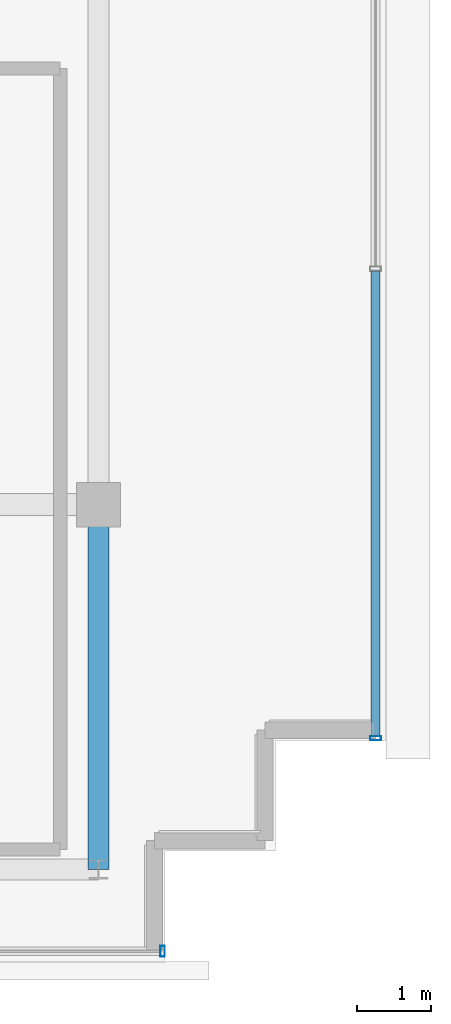
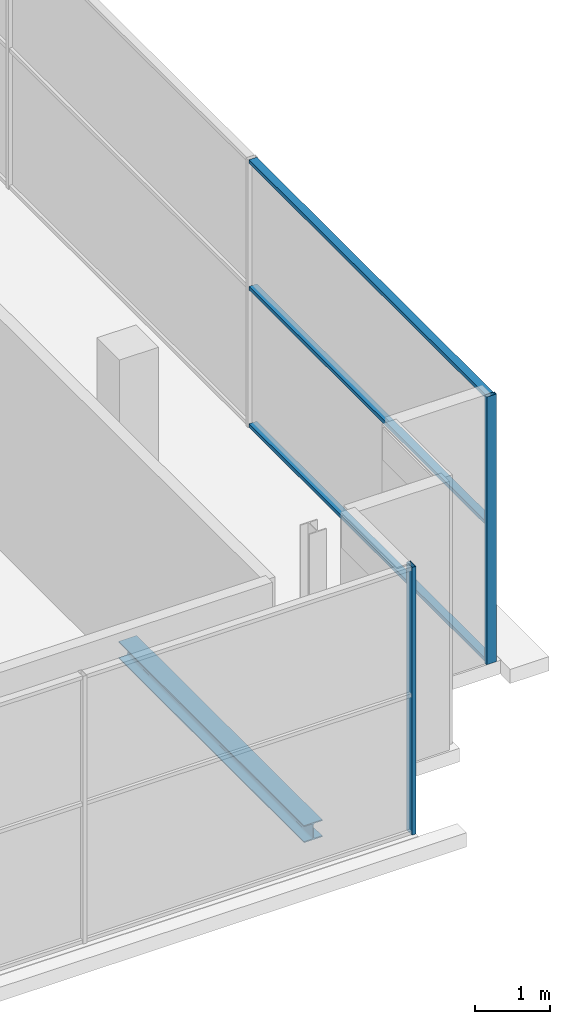
# One storey, part 20 of 28: 5 members, 1 beam, 2 elements without a shape of their own.
"""IFC4 building model written with IfcOpenShell, lengths in metres."""

from ifc_helpers import new_model, si_unit, direction, frame, origin, origin_2d, place, context, subcontext, project, spatial, hollow_rectangle, i_section, extrude, source, transform, mapped, material, layer, layer_set, material_profile, profile_set, type_object, element, aggregate, save


model = new_model("IFC4")

# Units and contexts
model_context = context("Model", 3, precision=1e-05, world=origin(), true_north=direction((0.0, 1.0)))
body_context = subcontext(model_context, "Body", "Model", "MODEL_VIEW")
ifc_project = project(units=[si_unit("LENGTHUNIT", "METRE"), si_unit("AREAUNIT", "SQUARE_METRE"), si_unit("VOLUMEUNIT", "CUBIC_METRE"), si_unit("PLANEANGLEUNIT", "RADIAN"), si_unit("MASSUNIT", "GRAM", prefix="KILO")], contexts=[model_context])

# Site, building, storey
site_placement = place(None, origin())
site = spatial("IfcSite", under=ifc_project, at=site_placement, CompositionType="ELEMENT")
building_placement = place(site_placement, origin())
building = spatial("IfcBuilding", under=site, at=building_placement, Name="Zarnakvel Exchange Tower", CompositionType="ELEMENT")
storey_placement = place(building_placement, frame((0.0, 0.0, 290.0)))
storey = spatial("IfcBuildingStorey", under=building, at=storey_placement, Name="Crown L81", CompositionType="ELEMENT", Elevation=290.0)

# Beam
ifc_material_1 = material(Name="Steel S355", Category="steel")
ifc_material_profile_1 = material_profile(ifc_material_1, i_section(OverallWidth=0.280029296875, OverallDepth=0.280029296875, WebThickness=0.010498046875, FlangeThickness=0.01806640625, FilletRadius=0.02392578125, at=origin_2d()))
ifc_profile_set_1 = profile_set([ifc_material_profile_1], Name="Steel S355")
beam_type = type_object("IfcBeamType", Name="SP-04", PredefinedType="SPANDREL", material=ifc_profile_set_1)
beam_placement = place(storey_placement, frame((14.39990234375, -14.550048828125, -0.360107421875), z_axis=(0.0, 1.0, 0.0), x_axis=(-1.0, 0.0, 0.0)))
element("IfcBeam", 1, at=beam_placement, inside=storey, type_object=beam_type, Name="Crown L81 Tower N-S Frame Beam", PredefinedType="SPANDREL", context=body_context, shape_type="SweptSolid", body=[
    extrude(i_section(OverallWidth=0.280029296875, OverallDepth=0.280029296875, WebThickness=0.010498046875, FlangeThickness=0.01806640625, FilletRadius=0.02392578125, at=origin_2d()), origin(), (0.0, 0.0, 1.0), 4.949951171875),
])

# Curtain wall, member
ifc_material_2 = material(Name="Architectural Bronze Anodised Aluminium", Category="aluminium")
ifc_layer = layer(ifc_material_2, 0.14990234375)
ifc_layer_set = layer_set([ifc_layer], Name="Architectural Bronze Anodised Aluminium")
curtain_wall_type = type_object("IfcCurtainWallType", Name="CW-07", PredefinedType="NOTDEFINED", material=ifc_layer_set)
curtain_wall_1_placement = place(storey_placement, origin())
curtain_wall_1 = element("IfcCurtainWall", 2, at=curtain_wall_1_placement, inside=storey, type_object=curtain_wall_type, Name="Crown L81 Curtain Wall CW-Crown L81-S (CW-07)", PredefinedType="NOTDEFINED")
ifc_material_profile_2 = material_profile(ifc_material_2, hollow_rectangle(XDim=0.14990234375, YDim=0.06005859375, WallThickness=0.00390625, at=origin_2d()))
ifc_profile_set_2 = profile_set([ifc_material_profile_2], Name="Architectural Bronze Anodised Aluminium")
member_type_1 = type_object("IfcMemberType", Name="CWM-07", PredefinedType="MULLION", material=ifc_profile_set_2)
shared_shape_1 = source(origin(), body_context, "Body", "SweptSolid", [
    extrude(hollow_rectangle(XDim=0.14990234375, YDim=0.06005859375, WallThickness=0.00390625, at=origin_2d()), origin(), (0.0, 0.0, 1.0), 4.360107421875),
])
member_1_placement = place(storey_placement, frame((15.27001953125, -15.659912109375, 0.0), z_axis=(0.0, 0.0, 1.0), x_axis=(0.0, 1.0, 0.0)))
member_1 = element("IfcMember", 3, at=member_1_placement, type_object=member_type_1, Name="CW-07 mullion 7", PredefinedType="MULLION", context=body_context, shape_type="MappedRepresentation", body=[
    mapped(shared_shape_1, transform((0.0, 0.0, 0.0), x_axis=(1.0, 0.0, 0.0), y_axis=(0.0, 1.0, 0.0), z_axis=(0.0, 0.0, 1.0), scale=1.0)),
])
aggregate(curtain_wall_1, [member_1])

# Curtain wall, members
curtain_wall_2_placement = place(storey_placement, origin())
curtain_wall_2 = element("IfcCurtainWall", 4, at=curtain_wall_2_placement, inside=storey, type_object=curtain_wall_type, Name="Crown L81 Curtain Wall CW-Crown L81-E (CW-07)", PredefinedType="NOTDEFINED")
member_2_placement = place(storey_placement, frame((18.159912109375, -12.77001953125, 0.0), z_axis=(0.0, 0.0, 1.0), x_axis=(-1.0, 0.0, 0.0)))
member_2 = element("IfcMember", 5, at=member_2_placement, type_object=member_type_1, Name="CW-07 mullion 1", PredefinedType="MULLION", context=body_context, shape_type="MappedRepresentation", body=[
    mapped(shared_shape_1, transform((0.0, 0.0, 0.0), x_axis=(1.0, 0.0, 0.0), y_axis=(0.0, 1.0, 0.0), z_axis=(0.0, 0.0, 1.0), scale=1.0)),
])
ifc_material_profile_3 = material_profile(ifc_material_2, hollow_rectangle(XDim=0.1201171875, YDim=0.06005859375, WallThickness=0.00390625, at=origin_2d()))
ifc_profile_set_3 = profile_set([ifc_material_profile_3], Name="Architectural Bronze Anodised Aluminium")
member_type_2 = type_object("IfcMemberType", Name="CWT-07", PredefinedType="USERDEFINED", material=ifc_profile_set_3)
shared_shape_2 = source(origin(), body_context, "Body", "SweptSolid", [
    extrude(hollow_rectangle(XDim=0.1201171875, YDim=0.06005859375, WallThickness=0.00390625, at=origin_2d()), origin(), (0.0, 0.0, 1.0), 6.31005859375),
])
member_3_placement = place(storey_placement, frame((18.159912109375, -12.739990234375, 0.030029296875), z_axis=(0.0, 1.0, 0.0), x_axis=(-1.0, 0.0, 0.0)))
member_3 = element("IfcMember", 6, at=member_3_placement, type_object=member_type_2, Name="CW-07 transom 1.1", ObjectType="TRANSOM", PredefinedType="USERDEFINED", context=body_context, shape_type="MappedRepresentation", body=[
    mapped(shared_shape_2, transform((0.0, 0.0, 0.0), x_axis=(1.0, 0.0, 0.0), y_axis=(0.0, 1.0, 0.0), z_axis=(0.0, 0.0, 1.0), scale=1.0)),
])
member_4_placement = place(storey_placement, frame((18.159912109375, -12.739990234375, 2.26708984375), z_axis=(0.0, 1.0, 0.0), x_axis=(-1.0, 0.0, 0.0)))
member_4 = element("IfcMember", 7, at=member_4_placement, type_object=member_type_2, Name="CW-07 transom 1.2", ObjectType="TRANSOM", PredefinedType="USERDEFINED", context=body_context, shape_type="MappedRepresentation", body=[
    mapped(shared_shape_2, transform((0.0, 0.0, 0.0), x_axis=(1.0, 0.0, 0.0), y_axis=(0.0, 1.0, 0.0), z_axis=(0.0, 0.0, 1.0), scale=1.0)),
])
member_5_placement = place(storey_placement, frame((18.159912109375, -12.739990234375, 4.330078125), z_axis=(0.0, 1.0, 0.0), x_axis=(-1.0, 0.0, 0.0)))
member_5 = element("IfcMember", 8, at=member_5_placement, type_object=member_type_2, Name="CW-07 transom 1.3", ObjectType="TRANSOM", PredefinedType="USERDEFINED", context=body_context, shape_type="MappedRepresentation", body=[
    mapped(shared_shape_2, transform((0.0, 0.0, 0.0), x_axis=(1.0, 0.0, 0.0), y_axis=(0.0, 1.0, 0.0), z_axis=(0.0, 0.0, 1.0), scale=1.0)),
])
aggregate(curtain_wall_2, [member_2, member_3, member_4, member_5])

save(model, "model.ifc")
